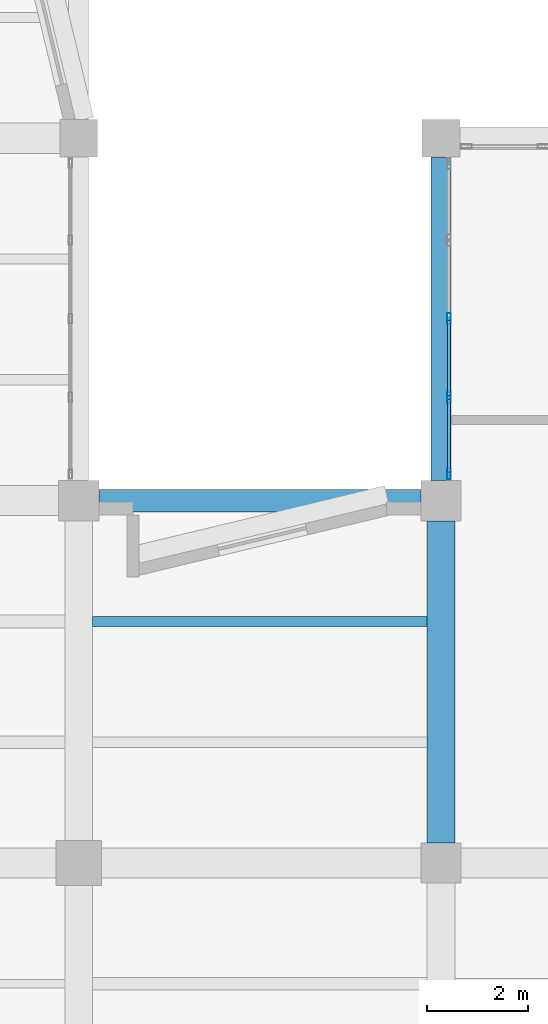
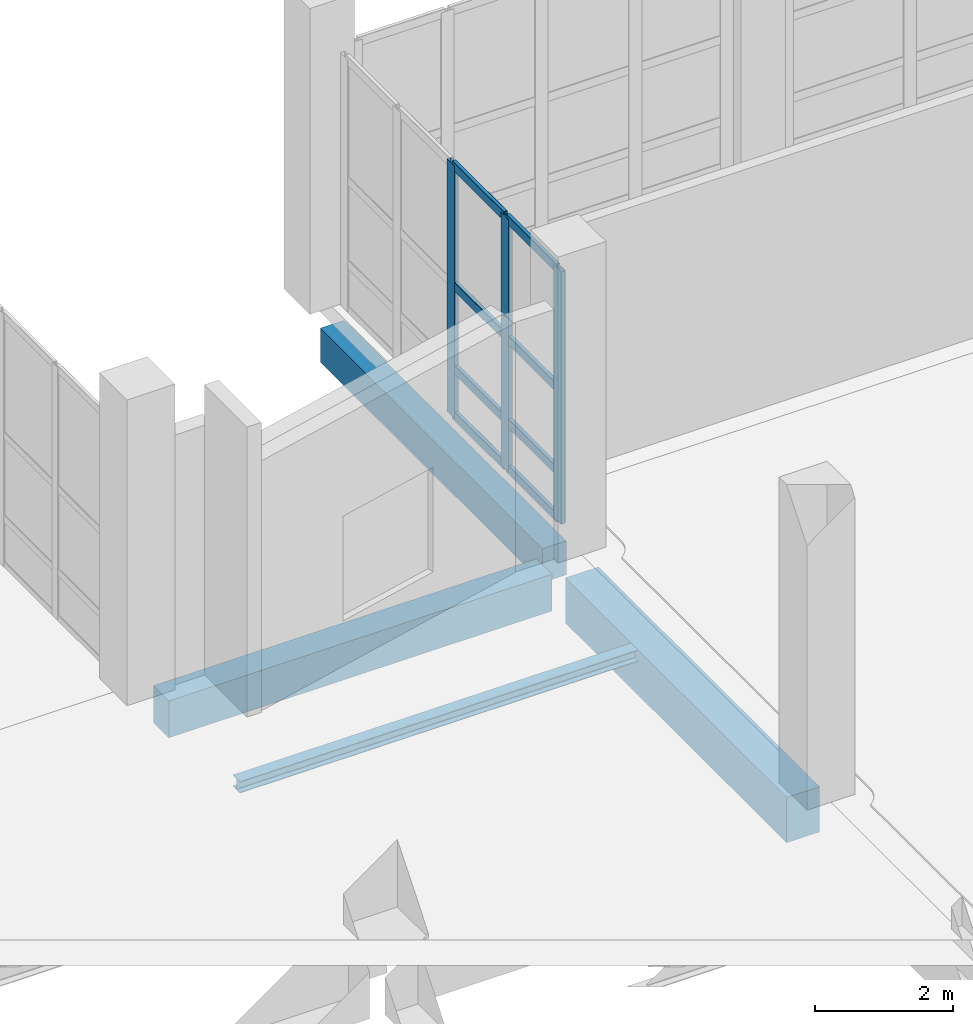
# One storey, part 21 of 137: 11 members, 4 beams, 1 element without a shape of its own.
"""IFC4 building model written with IfcOpenShell, lengths in metres."""

from ifc_helpers import new_model, si_unit, direction, frame, origin, origin_2d, place, context, subcontext, project, spatial, rectangle, hollow_rectangle, i_section, extrude, material, material_profile, profile_set, type_object, element, aggregate, save


model = new_model("IFC4")

# Units and contexts
model_context = context("Model", 3, precision=1e-05, world=origin(), true_north=direction((0.0, 1.0)))
body_context = subcontext(model_context, "Body", "Model", "MODEL_VIEW")
ifc_project = project(units=[si_unit("LENGTHUNIT", "METRE"), si_unit("AREAUNIT", "SQUARE_METRE"), si_unit("VOLUMEUNIT", "CUBIC_METRE"), si_unit("PLANEANGLEUNIT", "RADIAN"), si_unit("MASSUNIT", "GRAM", prefix="KILO")], contexts=[model_context])

# Site, building, storey
site_placement = place(None, origin())
site = spatial("IfcSite", under=ifc_project, at=site_placement, CompositionType="ELEMENT")
building_placement = place(site_placement, origin())
building = spatial("IfcBuilding", under=site, at=building_placement, Name="Kalmorath City Hall", CompositionType="ELEMENT")
storey_placement = place(building_placement, origin())
storey = spatial("IfcBuildingStorey", under=building, at=storey_placement, Name="L00", CompositionType="ELEMENT", Elevation=0.0)

# Beams
ifc_material_1 = material(Name="Concrete C40/50", Category="concrete")
ifc_material_profile_1 = material_profile(ifc_material_1, rectangle(XDim=0.39990234375, YDim=0.60009765625, at=origin_2d()), Name="RC-BM-400X600")
ifc_profile_set_1 = profile_set([ifc_material_profile_1], Name="Concrete C40/50")
beam_type_1 = type_object("IfcBeamType", Name="Concrete edge beam 400x600", PredefinedType="SPANDREL", material=ifc_profile_set_1)
beam_1_placement = place(storey_placement, frame((36.0, 36.39990234375, -0.60400390625), z_axis=(0.0, 1.0, 0.0), x_axis=(-1.0, 0.0, 0.0)))
element("IfcBeam", 1, at=beam_1_placement, inside=storey, type_object=beam_type_1, Name="L00 girder CB6 Y6/6-7", PredefinedType="SPANDREL", context=body_context, shape_type="SweptSolid", body=[
    extrude(rectangle(XDim=0.39990234375, YDim=0.60009765625, at=origin_2d()), origin(), (0.0, 0.0, 1.0), 6.425048828125),
])
ifc_material_2 = material(Name="Concrete C40/50", Category="concrete")
ifc_material_profile_2 = material_profile(ifc_material_2, rectangle(XDim=0.550048828125, YDim=0.800048828125, at=origin_2d()), Name="RC-BM-550X800")
ifc_profile_set_2 = profile_set([ifc_material_profile_2], Name="Concrete C40/50")
beam_type_2 = type_object("IfcBeamType", Name="Concrete floor girder 550x800", PredefinedType="BEAM", material=ifc_profile_set_2)
beam_2_placement = place(storey_placement, frame((36.0, 29.199951171875, -0.7041015625), z_axis=(0.0, 1.0, 0.0), x_axis=(-1.0, 0.0, 0.0)))
element("IfcBeam", 2, at=beam_2_placement, inside=storey, type_object=beam_type_2, Name="L00 girder CB2 Y6/5-6", PredefinedType="BEAM", context=body_context, shape_type="SweptSolid", body=[
    extrude(rectangle(XDim=0.550048828125, YDim=0.800048828125, at=origin_2d()), origin(), (0.0, 0.0, 1.0), 6.400146484375),
])
ifc_material_3 = material(Name="Concrete C40/50", Category="concrete")
ifc_material_profile_3 = material_profile(ifc_material_3, rectangle(XDim=0.449951171875, YDim=0.64990234375, at=origin_2d()), Name="RC-BM-450X650")
ifc_profile_set_3 = profile_set([ifc_material_profile_3], Name="Concrete C40/50")
beam_type_3 = type_object("IfcBeamType", Name="Concrete spandrel beam 450x650", PredefinedType="SPANDREL", material=ifc_profile_set_3)
beam_3_placement = place(storey_placement, frame((29.199951171875, 36.0, -0.62890625), z_axis=(1.0, 0.0, 0.0), x_axis=(0.0, 1.0, 0.0)))
element("IfcBeam", 3, at=beam_3_placement, inside=storey, type_object=beam_type_3, Name="L00 girder CB5 X5-6/6", PredefinedType="SPANDREL", context=body_context, shape_type="SweptSolid", body=[
    extrude(rectangle(XDim=0.449951171875, YDim=0.64990234375, at=origin_2d()), origin(), (0.0, 0.0, 1.0), 6.400146484375),
])

# Curtain wall, members
ifc_material_4 = material(Name="Anodised aluminium and laminated glass", Category="aluminium")
curtain_wall_type = type_object("IfcCurtainWallType", Name="Unitised hurricane curtain wall 6245x4461 M1500", PredefinedType="NOTDEFINED", material=ifc_material_4)
curtain_wall_placement = place(storey_placement, origin())
curtain_wall = element("IfcCurtainWall", 4, at=curtain_wall_placement, inside=storey, type_object=curtain_wall_type, Name="L00 curtain wall CW-62X45M15 #27", PredefinedType="NOTDEFINED")
ifc_material_5 = material(Name="Anodised aluminium framing", Category="aluminium")
ifc_material_profile_4 = material_profile(ifc_material_5, hollow_rectangle(XDim=0.074951171875, YDim=0.219970703125, WallThickness=0.00390625, InnerFilletRadius=0.00390625, OuterFilletRadius=0.008056640625, at=origin_2d()), Name="ALU-MUL-220X75X4")
ifc_profile_set_4 = profile_set([ifc_material_profile_4], Name="Anodised aluminium framing")
member_type_1 = type_object("IfcMemberType", Name="Curtain-wall primary mullion 220x75", PredefinedType="MULLION", material=ifc_profile_set_4)
member_1_placement = place(storey_placement, frame((36.159912109375, 36.527587890625, 0.0), z_axis=(0.0, 0.0, 1.0), x_axis=(-1.0, 0.0, 0.0)))
member_1 = element("IfcMember", 5, at=member_1_placement, type_object=member_type_1, Name="CW-62X45M15 mullion 1", PredefinedType="MULLION", context=body_context, shape_type="SweptSolid", body=[
    extrude(hollow_rectangle(XDim=0.074951171875, YDim=0.219970703125, WallThickness=0.00390625, InnerFilletRadius=0.00390625, OuterFilletRadius=0.008056640625, at=origin_2d()), origin(), (0.0, 0.0, 1.0), 4.4609375),
])
member_2_placement = place(storey_placement, frame((36.159912109375, 38.05126953125, 0.0), z_axis=(0.0, 0.0, 1.0), x_axis=(-1.0, 0.0, 0.0)))
member_2 = element("IfcMember", 6, at=member_2_placement, type_object=member_type_1, Name="CW-62X45M15 mullion 2", PredefinedType="MULLION", context=body_context, shape_type="SweptSolid", body=[
    extrude(hollow_rectangle(XDim=0.074951171875, YDim=0.219970703125, WallThickness=0.00390625, InnerFilletRadius=0.00390625, OuterFilletRadius=0.008056640625, at=origin_2d()), origin(), (0.0, 0.0, 1.0), 4.4609375),
])
member_3_placement = place(storey_placement, frame((36.159912109375, 39.612548828125, 0.0), z_axis=(0.0, 0.0, 1.0), x_axis=(-1.0, 0.0, 0.0)))
member_3 = element("IfcMember", 7, at=member_3_placement, type_object=member_type_1, Name="CW-62X45M15 mullion 3", PredefinedType="MULLION", context=body_context, shape_type="SweptSolid", body=[
    extrude(hollow_rectangle(XDim=0.074951171875, YDim=0.219970703125, WallThickness=0.00390625, InnerFilletRadius=0.00390625, OuterFilletRadius=0.008056640625, at=origin_2d()), origin(), (0.0, 0.0, 1.0), 4.4609375),
])
ifc_material_6 = material(Name="Anodised aluminium framing", Category="aluminium")
ifc_material_profile_5 = material_profile(ifc_material_6, hollow_rectangle(XDim=0.06494140625, YDim=0.159912109375, WallThickness=0.00390625, InnerFilletRadius=0.00390625, OuterFilletRadius=0.008056640625, at=origin_2d()), Name="ALU-TRN-160X65X4")
ifc_profile_set_5 = profile_set([ifc_material_profile_5], Name="Anodised aluminium framing")
member_type_2 = type_object("IfcMemberType", Name="Curtain-wall primary transom 160x65", PredefinedType="USERDEFINED", material=ifc_profile_set_5)
member_4_placement = place(storey_placement, frame((36.159912109375, 36.56494140625, 0.032470703125), z_axis=(0.0, 1.0, 0.0), x_axis=(-1.0, 0.0, 0.0)))
member_4 = element("IfcMember", 8, at=member_4_placement, type_object=member_type_2, Name="CW-62X45M15 transom 1.1", ObjectType="TRANSOM", PredefinedType="USERDEFINED", context=body_context, shape_type="SweptSolid", body=[
    extrude(hollow_rectangle(XDim=0.06494140625, YDim=0.159912109375, WallThickness=0.00390625, InnerFilletRadius=0.00390625, OuterFilletRadius=0.008056640625, at=origin_2d()), origin(), (0.0, 0.0, 1.0), 1.44873046875),
])
member_5_placement = place(storey_placement, frame((36.159912109375, 36.56494140625, 0.85009765625), z_axis=(0.0, 1.0, 0.0), x_axis=(-1.0, 0.0, 0.0)))
member_5 = element("IfcMember", 9, at=member_5_placement, type_object=member_type_2, Name="CW-62X45M15 transom 1.2", ObjectType="TRANSOM", PredefinedType="USERDEFINED", context=body_context, shape_type="SweptSolid", body=[
    extrude(hollow_rectangle(XDim=0.06494140625, YDim=0.159912109375, WallThickness=0.00390625, InnerFilletRadius=0.00390625, OuterFilletRadius=0.008056640625, at=origin_2d()), origin(), (0.0, 0.0, 1.0), 1.44873046875),
])
member_6_placement = place(storey_placement, frame((36.159912109375, 36.56494140625, 2.320068359375), z_axis=(0.0, 1.0, 0.0), x_axis=(-1.0, 0.0, 0.0)))
member_6 = element("IfcMember", 10, at=member_6_placement, type_object=member_type_2, Name="CW-62X45M15 transom 1.3", ObjectType="TRANSOM", PredefinedType="USERDEFINED", context=body_context, shape_type="SweptSolid", body=[
    extrude(hollow_rectangle(XDim=0.06494140625, YDim=0.159912109375, WallThickness=0.00390625, InnerFilletRadius=0.00390625, OuterFilletRadius=0.008056640625, at=origin_2d()), origin(), (0.0, 0.0, 1.0), 1.44873046875),
])
member_7_placement = place(storey_placement, frame((36.159912109375, 36.56494140625, 4.428466796875), z_axis=(0.0, 1.0, 0.0), x_axis=(-1.0, 0.0, 0.0)))
member_7 = element("IfcMember", 11, at=member_7_placement, type_object=member_type_2, Name="CW-62X45M15 transom 1.4", ObjectType="TRANSOM", PredefinedType="USERDEFINED", context=body_context, shape_type="SweptSolid", body=[
    extrude(hollow_rectangle(XDim=0.06494140625, YDim=0.159912109375, WallThickness=0.00390625, InnerFilletRadius=0.00390625, OuterFilletRadius=0.008056640625, at=origin_2d()), origin(), (0.0, 0.0, 1.0), 1.44873046875),
])
member_8_placement = place(storey_placement, frame((36.159912109375, 38.0888671875, 0.032470703125), z_axis=(0.0, 1.0, 0.0), x_axis=(-1.0, 0.0, 0.0)))
member_8 = element("IfcMember", 12, at=member_8_placement, type_object=member_type_2, Name="CW-62X45M15 transom 2.1", ObjectType="TRANSOM", PredefinedType="USERDEFINED", context=body_context, shape_type="SweptSolid", body=[
    extrude(hollow_rectangle(XDim=0.06494140625, YDim=0.159912109375, WallThickness=0.00390625, InnerFilletRadius=0.00390625, OuterFilletRadius=0.008056640625, at=origin_2d()), origin(), (0.0, 0.0, 1.0), 1.486083984375),
])
member_9_placement = place(storey_placement, frame((36.159912109375, 38.0888671875, 0.85009765625), z_axis=(0.0, 1.0, 0.0), x_axis=(-1.0, 0.0, 0.0)))
member_9 = element("IfcMember", 13, at=member_9_placement, type_object=member_type_2, Name="CW-62X45M15 transom 2.2", ObjectType="TRANSOM", PredefinedType="USERDEFINED", context=body_context, shape_type="SweptSolid", body=[
    extrude(hollow_rectangle(XDim=0.06494140625, YDim=0.159912109375, WallThickness=0.00390625, InnerFilletRadius=0.00390625, OuterFilletRadius=0.008056640625, at=origin_2d()), origin(), (0.0, 0.0, 1.0), 1.486083984375),
])
member_10_placement = place(storey_placement, frame((36.159912109375, 38.0888671875, 2.320068359375), z_axis=(0.0, 1.0, 0.0), x_axis=(-1.0, 0.0, 0.0)))
member_10 = element("IfcMember", 14, at=member_10_placement, type_object=member_type_2, Name="CW-62X45M15 transom 2.3", ObjectType="TRANSOM", PredefinedType="USERDEFINED", context=body_context, shape_type="SweptSolid", body=[
    extrude(hollow_rectangle(XDim=0.06494140625, YDim=0.159912109375, WallThickness=0.00390625, InnerFilletRadius=0.00390625, OuterFilletRadius=0.008056640625, at=origin_2d()), origin(), (0.0, 0.0, 1.0), 1.486083984375),
])
member_11_placement = place(storey_placement, frame((36.159912109375, 38.0888671875, 4.428466796875), z_axis=(0.0, 1.0, 0.0), x_axis=(-1.0, 0.0, 0.0)))
member_11 = element("IfcMember", 15, at=member_11_placement, type_object=member_type_2, Name="CW-62X45M15 transom 2.4", ObjectType="TRANSOM", PredefinedType="USERDEFINED", context=body_context, shape_type="SweptSolid", body=[
    extrude(hollow_rectangle(XDim=0.06494140625, YDim=0.159912109375, WallThickness=0.00390625, InnerFilletRadius=0.00390625, OuterFilletRadius=0.008056640625, at=origin_2d()), origin(), (0.0, 0.0, 1.0), 1.486083984375),
])
aggregate(curtain_wall, [member_1, member_2, member_3, member_4, member_5, member_6, member_7, member_8, member_9, member_10, member_11])

# Beam
ifc_material_7 = material(Name="Steel ASTM A992 Grade 50", Category="steel")
ifc_material_profile_6 = material_profile(ifc_material_7, i_section(OverallWidth=0.202880859375, OverallDepth=0.202880859375, WebThickness=0.007080078125, FlangeThickness=0.010986328125, FilletRadius=0.010986328125, at=origin_2d()), Name="W8X31")
ifc_profile_set_6 = profile_set([ifc_material_profile_6], Name="Steel ASTM A992 Grade 50")
beam_type_4 = type_object("IfcBeamType", Name="Steel edge trimmer W8X31", PredefinedType="LINTEL", material=ifc_profile_set_6)
beam_4_placement = place(storey_placement, frame((29.074951171875, 33.60009765625, -0.405517578125), z_axis=(1.0, 0.0, 0.0), x_axis=(0.0, 1.0, 0.0)))
element("IfcBeam", 16, at=beam_4_placement, inside=storey, type_object=beam_type_4, Name="L00 joist SJ16 5.5.2", PredefinedType="LINTEL", context=body_context, shape_type="SweptSolid", body=[
    extrude(i_section(OverallWidth=0.202880859375, OverallDepth=0.202880859375, WebThickness=0.007080078125, FlangeThickness=0.010986328125, FilletRadius=0.010986328125, at=origin_2d()), origin(), (0.0, 0.0, 1.0), 6.650146484375),
])

save(model, "model.ifc")
